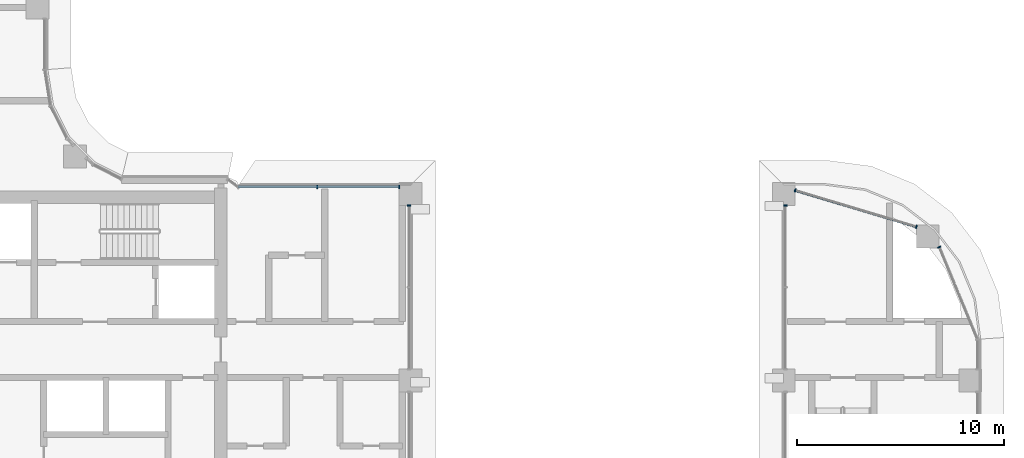
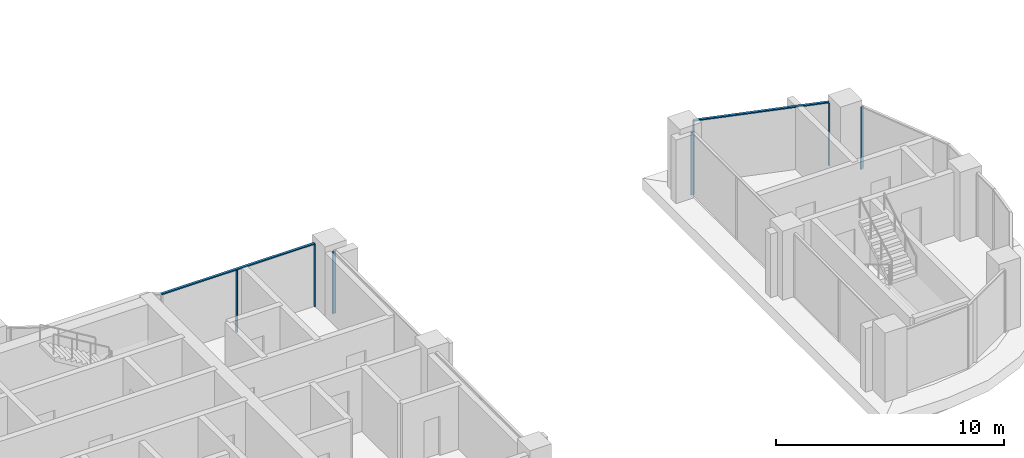
# One storey, part 4 of 24: 9 members, 5 elements without a shape of their own.
"""IFC4 building model written with IfcOpenShell, lengths in metres."""

from ifc_helpers import new_model, si_unit, direction, frame, origin, origin_2d, place, context, subcontext, project, spatial, rectangle, extrude, material, material_profile, profile_set, type_object, element, aggregate, save


model = new_model("IFC4")

# Units and contexts
model_context = context("Model", 3, precision=1e-05, world=origin(), true_north=direction((0.0, 1.0)))
body_context = subcontext(model_context, "Body", "Model", "MODEL_VIEW")
ifc_project = project(units=[si_unit("LENGTHUNIT", "METRE"), si_unit("AREAUNIT", "SQUARE_METRE"), si_unit("VOLUMEUNIT", "CUBIC_METRE"), si_unit("PLANEANGLEUNIT", "RADIAN"), si_unit("MASSUNIT", "GRAM", prefix="KILO")], contexts=[model_context])

# Site, building, storey
site_placement = place(None, origin())
site = spatial("IfcSite", under=ifc_project, at=site_placement, CompositionType="ELEMENT")
building_placement = place(site_placement, origin())
building = spatial("IfcBuilding", under=site, at=building_placement, Name="Ogive Portal Towers", CompositionType="ELEMENT")
storey_placement = place(building_placement, frame((0.0, 0.0, 153.300048828125)))
storey = spatial("IfcBuildingStorey", under=building, at=storey_placement, Name="L37", CompositionType="ELEMENT", Elevation=153.300048828125)

# Curtain wall, member
ifc_material_1 = material(Name="Glass, clear low-iron insulated glazing", Category="glass")
curtain_wall_type_1 = type_object("IfcCurtainWallType", Name="CW PORTAL REVEAL", PredefinedType="NOTDEFINED", material=ifc_material_1)
curtain_wall_1_placement = place(storey_placement, origin())
curtain_wall_1 = element("IfcCurtainWall", 1, at=curtain_wall_1_placement, inside=storey, type_object=curtain_wall_type_1, Name="A:L37:f22:cw0~1", PredefinedType="NOTDEFINED")
ifc_material_2 = material(Name="Aluminium 6063 anodised", Category="aluminium")
ifc_material_profile_1 = material_profile(ifc_material_2, rectangle(XDim=0.159912109375, YDim=0.06005859375, at=origin_2d()), Name="AL 60x160")
ifc_profile_set_1 = profile_set([ifc_material_profile_1], Name="Aluminium 6063 anodised")
member_type_1 = type_object("IfcMemberType", Name="CW MULLION 60x160", PredefinedType="MULLION", material=ifc_profile_set_1)
member_1_placement = place(storey_placement, frame((67.419921875, 38.949951171875, 0.0), z_axis=(0.0, 0.0, 1.0), x_axis=(-1.0, 0.0, 0.0)))
member_1 = element("IfcMember", 2, at=member_1_placement, type_object=member_type_1, Name="mullion", PredefinedType="MULLION", context=body_context, shape_type="SweptSolid", body=[
    extrude(rectangle(XDim=0.159912109375, YDim=0.06005859375, at=origin_2d()), origin(), (0.0, 0.0, 1.0), 3.33984375),
])
aggregate(curtain_wall_1, [member_1])

# Curtain wall, members
curtain_wall_type_2 = type_object("IfcCurtainWallType", Name="CW FRONT RIBBON 4500", PredefinedType="NOTDEFINED", material=ifc_material_1)
curtain_wall_2_placement = place(storey_placement, origin())
curtain_wall_2 = element("IfcCurtainWall", 3, at=curtain_wall_2_placement, inside=storey, type_object=curtain_wall_type_2, Name="A:L37:f23:cw0", PredefinedType="NOTDEFINED")
member_2_placement = place(storey_placement, frame((66.949951171875, 39.844970703125, 0.0), z_axis=(0.0, 0.0, 1.0), x_axis=(0.0, -1.0, 0.0)))
member_2 = element("IfcMember", 4, at=member_2_placement, type_object=member_type_1, Name="mullion", PredefinedType="MULLION", context=body_context, shape_type="SweptSolid", body=[
    extrude(rectangle(XDim=0.159912109375, YDim=0.06005859375, at=origin_2d()), origin(), (0.0, 0.0, 1.0), 3.33984375),
])
member_3_placement = place(storey_placement, frame((63.0, 39.844970703125, 0.0), z_axis=(0.0, 0.0, 1.0), x_axis=(0.0, -1.0, 0.0)))
member_3 = element("IfcMember", 5, at=member_3_placement, type_object=member_type_1, Name="mullion", PredefinedType="MULLION", context=body_context, shape_type="SweptSolid", body=[
    extrude(rectangle(XDim=0.159912109375, YDim=0.06005859375, at=origin_2d()), origin(), (0.0, 0.0, 1.0), 3.33984375),
])

# Curtain wall, member
curtain_wall_3_placement = place(storey_placement, origin())
curtain_wall_3 = element("IfcCurtainWall", 6, at=curtain_wall_3_placement, inside=storey, type_object=curtain_wall_type_1, Name="A:L37:f24:cw0~0", PredefinedType="NOTDEFINED")
member_4_placement = place(storey_placement, frame((85.580078125, 38.949951171875, 0.0), z_axis=(0.0, 0.0, 1.0), x_axis=(1.0, 0.0, 0.0)))
member_4 = element("IfcMember", 7, at=member_4_placement, type_object=member_type_1, Name="mullion", PredefinedType="MULLION", context=body_context, shape_type="SweptSolid", body=[
    extrude(rectangle(XDim=0.159912109375, YDim=0.06005859375, at=origin_2d()), origin(), (0.0, 0.0, 1.0), 3.33984375),
])
aggregate(curtain_wall_3, [member_4])

curtain_wall_4_placement = place(storey_placement, origin())
curtain_wall_4 = element("IfcCurtainWall", 8, at=curtain_wall_4_placement, inside=storey, type_object=curtain_wall_type_2, Name="A:L37:f30:cwa~0", PredefinedType="NOTDEFINED")
member_5_placement = place(storey_placement, frame((93.0, 36.938232421875, 0.0), z_axis=(0.0, 0.0, 1.0), x_axis=(-0.923879532511, -0.382683432365, 0.0)))
member_5 = element("IfcMember", 9, at=member_5_placement, type_object=member_type_1, Name="mullion", PredefinedType="MULLION", context=body_context, shape_type="SweptSolid", body=[
    extrude(rectangle(XDim=0.159912109375, YDim=0.06005859375, at=origin_2d()), origin(), (0.0, 0.0, 1.0), 3.33984375),
])
aggregate(curtain_wall_4, [member_5])

# Curtain wall, members
curtain_wall_5_placement = place(storey_placement, origin())
curtain_wall_5 = element("IfcCurtainWall", 10, at=curtain_wall_5_placement, inside=storey, type_object=curtain_wall_type_2, Name="A:L37:f30:cwa~1", PredefinedType="NOTDEFINED")
member_6_placement = place(storey_placement, frame((91.89990234375, 37.921875, 0.0), z_axis=(0.0, 0.0, 1.0), x_axis=(-0.287305681891, -0.95783894531, 0.0)))
member_6 = element("IfcMember", 11, at=member_6_placement, type_object=member_type_1, Name="mullion", PredefinedType="MULLION", context=body_context, shape_type="SweptSolid", body=[
    extrude(rectangle(XDim=0.159912109375, YDim=0.06005859375, at=origin_2d()), origin(), (0.0, 0.0, 1.0), 3.33984375),
])
member_7_placement = place(storey_placement, frame((86.050048828125, 39.676513671875, 0.0), z_axis=(0.0, 0.0, 1.0), x_axis=(-0.287305681891, -0.95783894531, 0.0)))
member_7 = element("IfcMember", 12, at=member_7_placement, type_object=member_type_1, Name="mullion", PredefinedType="MULLION", context=body_context, shape_type="SweptSolid", body=[
    extrude(rectangle(XDim=0.159912109375, YDim=0.06005859375, at=origin_2d()), origin(), (0.0, 0.0, 1.0), 3.33984375),
])

# Member
ifc_material_profile_2 = material_profile(ifc_material_2, rectangle(XDim=0.1201171875, YDim=0.06005859375, at=origin_2d()), Name="AL 120x60")
ifc_profile_set_2 = profile_set([ifc_material_profile_2], Name="Aluminium 6063 anodised")
member_type_2 = type_object("IfcMemberType", Name="CW TRANSOM 60x120", PredefinedType="USERDEFINED", material=ifc_profile_set_2)
member_8_placement = place(storey_placement, frame((66.949951171875, 39.844970703125, 3.369873046875), z_axis=(-1.0, 0.0, 0.0), x_axis=(0.0, -1.0, 0.0)))
member_8 = element("IfcMember", 13, at=member_8_placement, type_object=member_type_2, Name="transom", ObjectType="TRANSOM", PredefinedType="USERDEFINED", context=body_context, shape_type="SweptSolid", body=[
    extrude(rectangle(XDim=0.1201171875, YDim=0.06005859375, at=origin_2d()), origin(), (0.0, 0.0, 1.0), 7.76953125),
])

aggregate(curtain_wall_2, [member_8, member_2, member_3])

member_9_placement = place(storey_placement, frame((91.89990234375, 37.921875, 3.369873046875), z_axis=(-0.95784058701, 0.287300208624, 0.0), x_axis=(-0.287300208624, -0.95784058701, 0.0)))
member_9 = element("IfcMember", 14, at=member_9_placement, type_object=member_type_2, Name="transom", ObjectType="TRANSOM", PredefinedType="USERDEFINED", context=body_context, shape_type="SweptSolid", body=[
    extrude(rectangle(XDim=0.1201171875, YDim=0.06005859375, at=origin_2d()), origin(), (0.0, 0.0, 1.0), 6.107421875),
])

aggregate(curtain_wall_5, [member_9, member_6, member_7])

save(model, "model.ifc")
